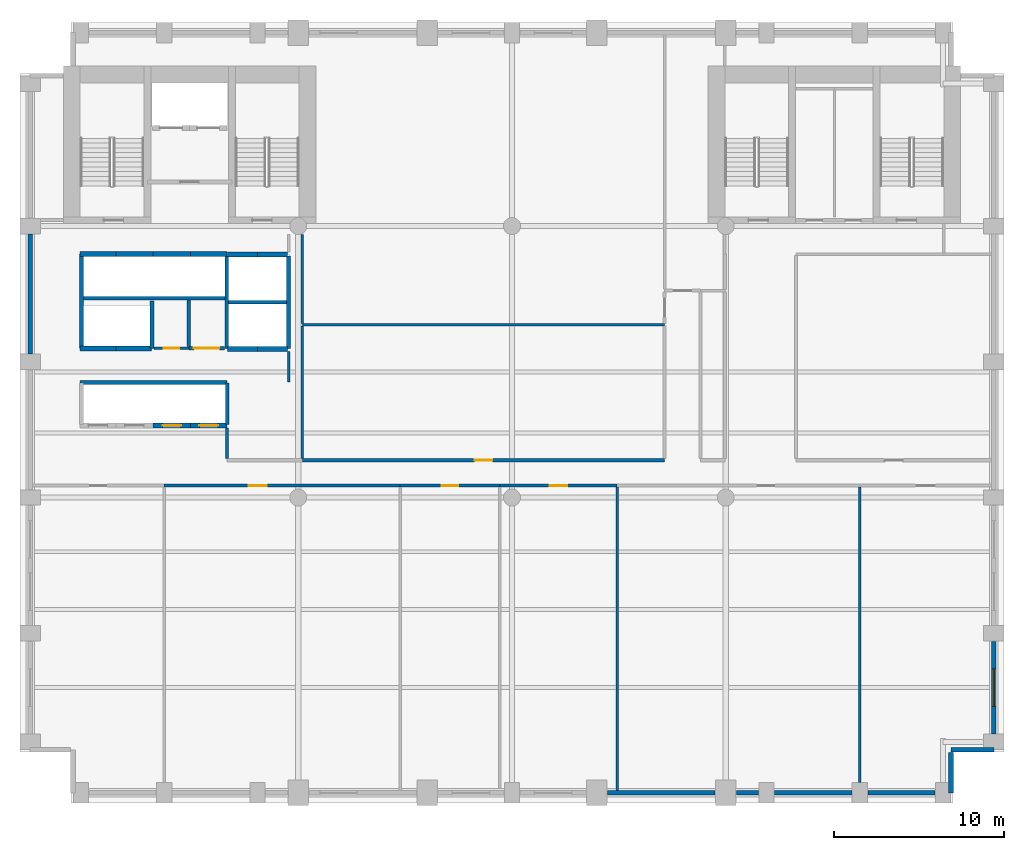
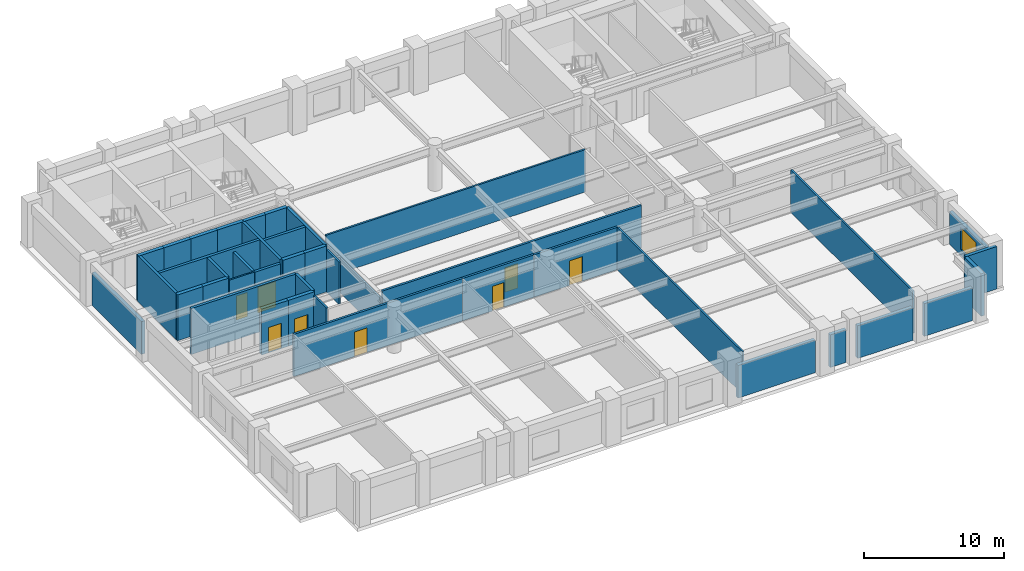
# One storey, part 3 of 8: 42 walls, 8 doors, 1 window, 9 openings.
"""IFC4 building model written with IfcOpenShell, lengths in metres."""

from ifc_helpers import new_model, si_unit, direction, frame, frame_2d, origin, place, context, subcontext, project, spatial, rectangle, extrude, material, layer, layer_set, type_object, element, fill, save


model = new_model("IFC4")

# Units and contexts
model_context = context("Model", 3, precision=1e-05, world=origin(), true_north=direction((0.0, 1.0)))
body_context = subcontext(model_context, "Body", "Model", "MODEL_VIEW")
ifc_project = project(units=[si_unit("LENGTHUNIT", "METRE"), si_unit("AREAUNIT", "SQUARE_METRE"), si_unit("VOLUMEUNIT", "CUBIC_METRE"), si_unit("PLANEANGLEUNIT", "RADIAN"), si_unit("MASSUNIT", "GRAM", prefix="KILO")], contexts=[model_context])

# Site, building, storey
site_placement = place(None, origin())
site = spatial("IfcSite", under=ifc_project, at=site_placement, CompositionType="ELEMENT")
building_placement = place(site_placement, origin())
building = spatial("IfcBuilding", under=site, at=building_placement, Name="Sulina Concourse Tower", CompositionType="ELEMENT")
storey_placement = place(building_placement, frame((0.0, 0.0, 74.60009765625)))
storey = spatial("IfcBuildingStorey", under=building, at=storey_placement, Name="L18", CompositionType="ELEMENT", Elevation=74.60009765625)

# Walls
ifc_material_1 = material(Name="Concrete C50/60", Category="concrete")
ifc_layer_1 = layer(ifc_material_1, 0.219970703125)
ifc_layer_set_1 = layer_set([ifc_layer_1], Name="Concrete C50/60")
wall_type_1 = type_object("IfcWallType", Name="Core Lift Hoistway Divider Wall 220mm", PredefinedType="SOLIDWALL", material=ifc_layer_set_1)
wall_1_placement = place(storey_placement, frame((3.550048828125, 29.75, 0.0), z_axis=(0.0, 0.0, 1.0), x_axis=(1.0, 0.0, 0.0)))
element("IfcWall", 1, at=wall_1_placement, inside=storey, type_object=wall_type_1, Name="L18 shaft divider wall HW-LP3-S", PredefinedType="SOLIDWALL", context=body_context, shape_type="SweptSolid", body=[
    extrude(rectangle(XDim=8.64990234375, YDim=0.219970703125, at=frame_2d((4.324951171875, 0.0))), origin(), (0.0, 0.0, 1.0), 4.0),
])
wall_2_placement = place(storey_placement, frame((3.6298828125, 26.800048828125, 0.0), z_axis=(0.0, 0.0, 1.0), x_axis=(0.0, 1.0, 0.0)))
element("IfcWall", 2, at=wall_2_placement, inside=storey, type_object=wall_type_1, Name="L18 shaft divider wall HW-LP3-W", PredefinedType="SOLIDWALL", context=body_context, shape_type="SweptSolid", body=[
    extrude(rectangle(XDim=5.550048828125, YDim=0.219970703125, at=frame_2d((2.77490234375, 0.0))), origin(), (0.0, 0.0, 1.0), 4.0),
])
wall_3_placement = place(storey_placement, frame((7.780029296875, 26.800048828125, 0.0), z_axis=(0.0, 0.0, 1.0), x_axis=(0.0, 1.0, 0.0)))
element("IfcWall", 3, at=wall_3_placement, inside=storey, type_object=wall_type_1, Name="L18 shaft divider wall HW-EXP-E", PredefinedType="SOLIDWALL", context=body_context, shape_type="SweptSolid", body=[
    extrude(rectangle(XDim=2.800048828125, YDim=0.219970703125, at=frame_2d((1.39990234375, 0.0))), origin(), (0.0, 0.0, 1.0), 4.0),
])
for number, where, z_axis, x_axis, name in (
    (4, (12.179931640625, 26.800048828125, 0.0), (0.0, 0.0, 1.0), (0.0, 1.0, 0.0), "L18 shaft divider wall HW-LP2-W"),
    (5, (15.820068359375, 26.800048828125, 0.0), (0.0, 0.0, 1.0), (0.0, 1.0, 0.0), "L18 shaft divider wall HW-LP2-E"),
):
    element("IfcWall", number, at=place(storey_placement, frame(where, z_axis=z_axis, x_axis=x_axis)), inside=storey, type_object=wall_type_1, Name=name, PredefinedType="SOLIDWALL", context=body_context, shape_type="SweptSolid", body=[
        extrude(rectangle(XDim=5.449951171875, YDim=0.219970703125, at=frame_2d((2.72509765625, 0.0))), origin(), (0.0, 0.0, 1.0), 4.0),
    ])
wall_4_placement = place(storey_placement, frame((12.300048828125, 29.52001953125, 0.0), z_axis=(0.0, 0.0, 1.0), x_axis=(1.0, 0.0, 0.0)))
element("IfcWall", 6, at=wall_4_placement, inside=storey, type_object=wall_type_1, Name="L18 shaft divider wall HW-LP2-M", PredefinedType="SOLIDWALL", context=body_context, shape_type="SweptSolid", body=[
    extrude(rectangle(XDim=3.39990234375, YDim=0.219970703125, at=frame_2d((1.699951171875, 0.0))), origin(), (0.0, 0.0, 1.0), 4.0),
])
wall_5_placement = place(storey_placement, frame((3.550048828125, 24.780029296875, 0.0), z_axis=(0.0, 0.0, 1.0), x_axis=(1.0, 0.0, 0.0)))
element("IfcWall", 7, at=wall_5_placement, inside=storey, type_object=wall_type_1, Name="L18 shaft divider wall HW-LP1-N", PredefinedType="SOLIDWALL", context=body_context, shape_type="SweptSolid", body=[
    extrude(rectangle(XDim=8.64990234375, YDim=0.219970703125, at=frame_2d((4.324951171875, 0.0))), origin(), (0.0, 0.0, 1.0), 4.0),
])
wall_6_placement = place(storey_placement, frame((12.219970703125, 22.300048828125, 0.0), z_axis=(0.0, 0.0, 1.0), x_axis=(0.0, 1.0, 0.0)))
element("IfcWall", 8, at=wall_6_placement, inside=storey, type_object=wall_type_1, Name="L18 shaft divider wall HW-LP1-E", PredefinedType="SOLIDWALL", context=body_context, shape_type="SweptSolid", body=[
    extrude(rectangle(XDim=2.449951171875, YDim=0.219970703125, at=frame_2d((1.22509765625, 0.0))), origin(), (0.0, 0.0, 1.0), 4.0),
])

# Wall, opening, door
ifc_material_2 = material(Name="Concrete C50/60", Category="concrete")
ifc_layer_2 = layer(ifc_material_2, 0.300048828125)
ifc_layer_set_2 = layer_set([ifc_layer_2], Name="Concrete C50/60")
wall_type_2 = type_object("IfcWallType", Name="Core Lift Hoistway Wall 300mm", PredefinedType="SOLIDWALL", material=ifc_layer_set_2)
wall_7_placement = place(storey_placement, frame((10.050048828125, 22.25, 0.0), z_axis=(0.0, 0.0, 1.0), x_axis=(-1.0, 0.0, 0.0)))
wall_7 = element("IfcWall", 9, at=wall_7_placement, inside=storey, type_object=wall_type_2, Name="L18 hoistway enclosure wall LP-03", PredefinedType="SOLIDWALL", context=body_context, shape_type="SweptSolid", body=[
    extrude(rectangle(XDim=2.199951171875, YDim=0.300048828125, at=frame_2d((1.10009765625, 0.0))), origin(), (0.0, 0.0, 1.0), 4.0),
])
opening_1_placement = place(wall_7_placement, frame((0.550048828125, 0.0, 0.0)))
opening_1 = element("IfcOpeningElement", 10, at=opening_1_placement, cuts=wall_7, Name="Opening LD-01", PredefinedType="OPENING", context=body_context, shape_type="SweptSolid", body=[
    extrude(rectangle(XDim=1.10009765625, YDim=2.199951171875, at=frame_2d((0.550048828125, 1.10009765625))), frame((0.0, 0.159912109375, 0.0), z_axis=(0.0, -1.0, 0.0), x_axis=(1.0, 0.0, 0.0)), (0.0, 0.0, 1.0), 0.320068359375),
])
ifc_material_3 = material(Name="Stainless steel lift landing door", Category="steel")
ifc_layer_3 = layer(ifc_material_3, 0.050048828125)
ifc_layer_set_3 = layer_set([ifc_layer_3], Name="Stainless steel lift landing door")
door_type_1 = type_object("IfcDoorType", Name="Passenger Lift Sliding Landing Door 1100x2200", OperationType="SLIDING_TO_LEFT", PredefinedType="DOOR", material=ifc_layer_set_3)
door_1_placement = place(opening_1_placement, origin())
door_1 = element("IfcDoor", 11, at=door_1_placement, inside=storey, type_object=door_type_1, Name="L18 lift landing sliding door LP-03", OperationType="SLIDING_TO_LEFT", OverallHeight=2.199951171875, OverallWidth=1.10009765625, PredefinedType="DOOR", context=body_context, shape_type="SweptSolid", body=[
    extrude(rectangle(XDim=1.10009765625, YDim=2.199951171875, at=frame_2d((0.550048828125, 1.10009765625))), frame((0.0, 0.02490234375, 0.0), z_axis=(0.0, -1.0, 0.0), x_axis=(1.0, 0.0, 0.0)), (0.0, 0.0, 1.0), 0.050048828125),
])
fill(opening_1, door_1)

wall_8_placement = place(storey_placement, frame((12.199951171875, 22.25, 0.0), z_axis=(0.0, 0.0, 1.0), x_axis=(-1.0, 0.0, 0.0)))
wall_8 = element("IfcWall", 12, at=wall_8_placement, inside=storey, type_object=wall_type_2, Name="L18 hoistway enclosure wall LP-04", PredefinedType="SOLIDWALL", context=body_context, shape_type="SweptSolid", body=[
    extrude(rectangle(XDim=2.14990234375, YDim=0.300048828125, at=frame_2d((1.074951171875, 0.0))), origin(), (0.0, 0.0, 1.0), 4.0),
])
opening_2_placement = place(wall_8_placement, frame((0.52490234375, 0.0, 0.0)))
opening_2 = element("IfcOpeningElement", 13, at=opening_2_placement, cuts=wall_8, Name="Opening LD-01", PredefinedType="OPENING", context=body_context, shape_type="SweptSolid", body=[
    extrude(rectangle(XDim=1.10009765625, YDim=2.199951171875, at=frame_2d((0.550048828125, 1.10009765625))), frame((0.0, 0.159912109375, 0.0), z_axis=(0.0, -1.0, 0.0), x_axis=(1.0, 0.0, 0.0)), (0.0, 0.0, 1.0), 0.320068359375),
])
door_2_placement = place(opening_2_placement, origin())
door_2 = element("IfcDoor", 14, at=door_2_placement, inside=storey, type_object=door_type_1, Name="L18 lift landing sliding door LP-04", OperationType="SLIDING_TO_RIGHT", OverallHeight=2.199951171875, OverallWidth=1.10009765625, PredefinedType="DOOR", context=body_context, shape_type="SweptSolid", body=[
    extrude(rectangle(XDim=1.10009765625, YDim=2.199951171875, at=frame_2d((0.550048828125, 1.10009765625))), frame((0.0, 0.02490234375, 0.0), z_axis=(0.0, -1.0, 0.0), x_axis=(1.0, 0.0, 0.0)), (0.0, 0.0, 1.0), 0.050048828125),
])
fill(opening_2, door_2)

# Walls
for number, where, z_axis, x_axis, name in (
    (15, (14.0, 26.75, 0.0), (0.0, 0.0, 1.0), (-1.0, 0.0, 0.0), "L18 hoistway enclosure wall LP-05"),
    (16, (15.780029296875, 26.75, 0.0), (0.0, 0.0, 1.0), (-1.0, 0.0, 0.0), "L18 hoistway enclosure wall LP-06"),
    (17, (12.219970703125, 32.320068359375, 0.0), (0.0, 0.0, 1.0), (1.0, 0.0, 0.0), "L18 hoistway enclosure wall LP-07"),
    (18, (14.0, 32.320068359375, 0.0), (0.0, 0.0, 1.0), (1.0, 0.0, 0.0), "L18 hoistway enclosure wall LP-08"),
):
    element("IfcWall", number, at=place(storey_placement, frame(where, z_axis=z_axis, x_axis=x_axis)), inside=storey, type_object=wall_type_2, Name=name, PredefinedType="SOLIDWALL", context=body_context, shape_type="SweptSolid", body=[
        extrude(rectangle(XDim=1.780029296875, YDim=0.300048828125, at=frame_2d((0.89013671875, 0.0))), origin(), (0.0, 0.0, 1.0), 4.0),
    ])
wall_9_placement = place(storey_placement, frame((3.550048828125, 32.35009765625, 0.0), z_axis=(0.0, 0.0, 1.0), x_axis=(1.0, 0.0, 0.0)))
element("IfcWall", 19, at=wall_9_placement, inside=storey, type_object=wall_type_2, Name="L18 hoistway enclosure wall LP-09", PredefinedType="SOLIDWALL", context=body_context, shape_type="SweptSolid", body=[
    extrude(rectangle(XDim=2.099853515625, YDim=0.300048828125, at=frame_2d((1.0498046875, 0.0))), origin(), (0.0, 0.0, 1.0), 4.0),
])
wall_10_placement = place(storey_placement, frame((5.64990234375, 32.35009765625, 0.0), z_axis=(0.0, 0.0, 1.0), x_axis=(1.0, 0.0, 0.0)))
element("IfcWall", 20, at=wall_10_placement, inside=storey, type_object=wall_type_2, Name="L18 hoistway enclosure wall LP-10", PredefinedType="SOLIDWALL", context=body_context, shape_type="SweptSolid", body=[
    extrude(rectangle(XDim=2.2001953125, YDim=0.300048828125, at=frame_2d((1.10009765625, 0.0))), origin(), (0.0, 0.0, 1.0), 4.0),
])
wall_11_placement = place(storey_placement, frame((7.85009765625, 32.35009765625, 0.0), z_axis=(0.0, 0.0, 1.0), x_axis=(1.0, 0.0, 0.0)))
element("IfcWall", 21, at=wall_11_placement, inside=storey, type_object=wall_type_2, Name="L18 hoistway enclosure wall LP-11", PredefinedType="SOLIDWALL", context=body_context, shape_type="SweptSolid", body=[
    extrude(rectangle(XDim=2.199951171875, YDim=0.300048828125, at=frame_2d((1.10009765625, 0.0))), origin(), (0.0, 0.0, 1.0), 4.0),
])
wall_12_placement = place(storey_placement, frame((10.050048828125, 32.35009765625, 0.0), z_axis=(0.0, 0.0, 1.0), x_axis=(1.0, 0.0, 0.0)))
element("IfcWall", 22, at=wall_12_placement, inside=storey, type_object=wall_type_2, Name="L18 hoistway enclosure wall LP-12", PredefinedType="SOLIDWALL", context=body_context, shape_type="SweptSolid", body=[
    extrude(rectangle(XDim=2.14990234375, YDim=0.300048828125, at=frame_2d((1.074951171875, 0.0))), origin(), (0.0, 0.0, 1.0), 4.0),
])
wall_13_placement = place(storey_placement, frame((5.64990234375, 26.780029296875, 0.0), z_axis=(0.0, 0.0, 1.0), x_axis=(-1.0, 0.0, 0.0)))
element("IfcWall", 23, at=wall_13_placement, inside=storey, type_object=wall_type_2, Name="L18 hoistway enclosure wall EXP-1", PredefinedType="SOLIDWALL", context=body_context, shape_type="SweptSolid", body=[
    extrude(rectangle(XDim=2.099853515625, YDim=0.300048828125, at=frame_2d((1.0498046875, 0.0))), origin(), (0.0, 0.0, 1.0), 4.0),
])
wall_14_placement = place(storey_placement, frame((7.75, 26.780029296875, 0.0), z_axis=(0.0, 0.0, 1.0), x_axis=(-1.0, 0.0, 0.0)))
element("IfcWall", 24, at=wall_14_placement, inside=storey, type_object=wall_type_2, Name="L18 hoistway enclosure wall EXP-2", PredefinedType="SOLIDWALL", context=body_context, shape_type="SweptSolid", body=[
    extrude(rectangle(XDim=2.10009765625, YDim=0.300048828125, at=frame_2d((1.050048828125, 0.0))), origin(), (0.0, 0.0, 1.0), 4.0),
])

# Wall, opening, door
ifc_material_4 = material(Name="Gypsum board on steel stud", Category="steel")
ifc_layer_4 = layer(ifc_material_4, 0.219970703125)
ifc_layer_set_4 = layer_set([ifc_layer_4], Name="Gypsum board on steel stud")
wall_type_3 = type_object("IfcWallType", Name="Fire-Rated Lobby & Compartment Wall 220mm", PredefinedType="PARTITIONING", material=ifc_layer_set_4)
wall_15_placement = place(storey_placement, frame((9.949951171875, 26.800048828125, 0.0), z_axis=(0.0, 0.0, 1.0), x_axis=(1.0, 0.0, 0.0)))
wall_15 = element("IfcWall", 25, at=wall_15_placement, inside=storey, type_object=wall_type_3, Name="L18 interior partition 012", PredefinedType="PARTITIONING", context=body_context, shape_type="SweptSolid", body=[
    extrude(rectangle(XDim=2.10009765625, YDim=0.219970703125, at=frame_2d((1.050048828125, 0.0))), origin(), (0.0, 0.0, 1.0), 3.699951171875),
])
opening_3_placement = place(wall_15_placement, frame((0.300048828125, 0.0, 0.0)))
opening_3 = element("IfcOpeningElement", 26, at=opening_3_placement, cuts=wall_15, Name="Opening DR-80", PredefinedType="OPENING", context=body_context, shape_type="SweptSolid", body=[
    extrude(rectangle(XDim=1.5, YDim=2.25, at=frame_2d((0.75, 1.125))), frame((0.0, 0.119873046875, 0.0), z_axis=(0.0, -1.0, 0.0), x_axis=(1.0, 0.0, 0.0)), (0.0, 0.0, 1.0), 0.239990234375),
])
ifc_material_5 = material(Name="Galvanised steel acoustic fire leaf", Category="steel")
ifc_layer_5 = layer(ifc_material_5, 0.054931640625)
ifc_layer_set_5 = layer_set([ifc_layer_5], Name="Galvanised steel acoustic fire leaf")
door_type_2 = type_object("IfcDoorType", Name="Mechanical Plant Double Fire Door 1500x2250", OperationType="DOUBLE_DOOR_SINGLE_SWING", PredefinedType="DOOR", material=ifc_layer_set_5)
door_3_placement = place(opening_3_placement, origin())
door_3 = element("IfcDoor", 27, at=door_3_placement, inside=storey, type_object=door_type_2, Name="L18 interior door L18-IT-IDF", OperationType="DOUBLE_DOOR_SINGLE_SWING", OverallHeight=2.25, OverallWidth=1.5, PredefinedType="DOOR", context=body_context, shape_type="SweptSolid", body=[
    extrude(rectangle(XDim=1.5, YDim=2.25, at=frame_2d((0.75, 1.125))), frame((0.0, 0.02490234375, 0.0), z_axis=(0.0, -1.0, 0.0), x_axis=(1.0, 0.0, 0.0)), (0.0, 0.0, 1.0), 0.050048828125),
])
fill(opening_3, door_3)

# Walls
wall_16_placement = place(storey_placement, frame((9.949951171875, 26.909912109375, 0.0), z_axis=(0.0, 0.0, 1.0), x_axis=(0.0, 1.0, 0.0)))
element("IfcWall", 28, at=wall_16_placement, inside=storey, type_object=wall_type_3, Name="L18 interior partition 022", PredefinedType="PARTITIONING", context=body_context, shape_type="SweptSolid", body=[
    extrude(rectangle(XDim=2.72998046875, YDim=0.219970703125, at=frame_2d((1.364990234375, 0.0))), origin(), (0.0, 0.0, 1.0), 3.699951171875),
])
ifc_material_6 = material(Name="Gypsum board on steel stud", Category="steel")
ifc_layer_6 = layer(ifc_material_6, 0.14990234375)
ifc_layer_set_6 = layer_set([ifc_layer_6], Name="Gypsum board on steel stud")
wall_type_4 = type_object("IfcWallType", Name="Inter-Tenancy Acoustic Partition 150mm", PredefinedType="PARTITIONING", material=ifc_layer_set_6)
wall_17_placement = place(storey_placement, frame((16.64990234375, 28.199951171875, 0.0), z_axis=(0.0, 0.0, 1.0), x_axis=(1.0, 0.0, 0.0)))
element("IfcWall", 29, at=wall_17_placement, inside=storey, type_object=wall_type_4, Name="L18 interior partition 013", PredefinedType="PARTITIONING", context=body_context, shape_type="SweptSolid", body=[
    extrude(rectangle(XDim=21.35009765625, YDim=0.14990234375, at=frame_2d((10.675048828125, 0.0))), origin(), (0.0, 0.0, 1.0), 3.699951171875),
])
wall_18_placement = place(storey_placement, frame((12.199951171875, 20.2900390625, 0.0), z_axis=(0.0, 0.0, 1.0), x_axis=(0.0, 1.0, 0.0)))
element("IfcWall", 30, at=wall_18_placement, inside=storey, type_object=wall_type_4, Name="L18 interior partition 023", PredefinedType="PARTITIONING", context=body_context, shape_type="SweptSolid", body=[
    extrude(rectangle(XDim=1.81005859375, YDim=0.14990234375, at=frame_2d((0.905029296875, 0.0))), origin(), (0.0, 0.0, 1.0), 3.699951171875),
])
wall_19_placement = place(storey_placement, frame((15.85009765625, 24.800048828125, 0.0), z_axis=(0.0, 0.0, 1.0), x_axis=(0.0, 1.0, 0.0)))
element("IfcWall", 31, at=wall_19_placement, inside=storey, type_object=wall_type_4, Name="L18 interior partition 024", PredefinedType="PARTITIONING", context=body_context, shape_type="SweptSolid", body=[
    extrude(rectangle(XDim=1.800048828125, YDim=0.14990234375, at=frame_2d((0.89990234375, 0.0))), origin(), (0.0, 0.0, 1.0), 3.699951171875),
])
wall_20_placement = place(storey_placement, frame((16.64990234375, 20.2900390625, 0.0), z_axis=(0.0, 0.0, 1.0), x_axis=(0.0, 1.0, 0.0)))
element("IfcWall", 32, at=wall_20_placement, inside=storey, type_object=wall_type_4, Name="L18 interior partition 026", PredefinedType="PARTITIONING", context=body_context, shape_type="SweptSolid", body=[
    extrude(rectangle(XDim=7.8349609375, YDim=0.14990234375, at=frame_2d((3.91748046875, 0.0))), origin(), (0.0, 0.0, 1.0), 2.994873046875),
])
wall_21_placement = place(storey_placement, frame((16.64990234375, 28.27490234375, 0.0), z_axis=(0.0, 0.0, 1.0), x_axis=(0.0, 1.0, 0.0)))
element("IfcWall", 33, at=wall_21_placement, inside=storey, type_object=wall_type_4, Name="L18 interior partition 027", PredefinedType="PARTITIONING", context=body_context, shape_type="SweptSolid", body=[
    extrude(rectangle(XDim=5.22509765625, YDim=0.14990234375, at=frame_2d((2.612548828125, 0.0))), origin(), (0.0, 0.0, 1.0), 2.994873046875),
])
wall_22_placement = place(storey_placement, frame((35.199951171875, 0.739990234375, 0.0), z_axis=(0.0, 0.0, 1.0), x_axis=(0.0, 1.0, 0.0)))
element("IfcWall", 34, at=wall_22_placement, inside=storey, type_object=wall_type_4, Name="L18 interior partition 030", PredefinedType="PARTITIONING", context=body_context, shape_type="SweptSolid", body=[
    extrude(rectangle(XDim=17.8701171875, YDim=0.14990234375, at=frame_2d((8.93505859375, 0.0))), origin(), (0.0, 0.0, 1.0), 3.699951171875),
])
wall_23_placement = place(storey_placement, frame((49.5, 1.199951171875, 0.0), z_axis=(0.0, 0.0, 1.0), x_axis=(0.0, 1.0, 0.0)))
element("IfcWall", 35, at=wall_23_placement, inside=storey, type_object=wall_type_4, Name="L18 interior partition 041", PredefinedType="PARTITIONING", context=body_context, shape_type="SweptSolid", body=[
    extrude(rectangle(XDim=17.41015625, YDim=0.14990234375, at=frame_2d((8.705078125, 0.0))), origin(), (0.0, 0.0, 1.0), 3.699951171875),
])

# Wall, opening, door
ifc_material_7 = material(Name="Gypsum board on steel stud", Category="steel")
ifc_layer_7 = layer(ifc_material_7, 0.179931640625)
ifc_layer_set_7 = layer_set([ifc_layer_7], Name="Gypsum board on steel stud")
wall_type_5 = type_object("IfcWallType", Name="Protected Corridor & Riser Partition 180mm", PredefinedType="PARTITIONING", material=ifc_layer_set_7)
wall_24_placement = place(storey_placement, frame((8.5, 18.699951171875, 0.0), z_axis=(0.0, 0.0, 1.0), x_axis=(1.0, 0.0, 0.0)))
wall_24 = element("IfcWall", 36, at=wall_24_placement, inside=storey, type_object=wall_type_5, Name="L18 interior partition 002", PredefinedType="PARTITIONING", context=body_context, shape_type="SweptSolid", body=[
    extrude(rectangle(XDim=13.89990234375, YDim=0.179931640625, at=frame_2d((6.949951171875, 0.0))), origin(), (0.0, 0.0, 1.0), 3.699951171875),
])
opening_4_placement = place(wall_24_placement, frame((4.985107421875, 0.0, 0.0)))
opening_4 = element("IfcOpeningElement", 37, at=opening_4_placement, cuts=wall_24, Name="Opening DR-37", PredefinedType="OPENING", context=body_context, shape_type="SweptSolid", body=[
    extrude(rectangle(XDim=1.050048828125, YDim=2.14990234375, at=frame_2d((0.52490234375, 1.074951171875))), frame((0.0, 0.099853515625, 0.0), z_axis=(0.0, -1.0, 0.0), x_axis=(1.0, 0.0, 0.0)), (0.0, 0.0, 1.0), 0.199951171875),
])
ifc_material_8 = material(Name="Oak-veneered fire door leaf")
ifc_layer_8 = layer(ifc_material_8, 0.050048828125)
ifc_layer_set_8 = layer_set([ifc_layer_8], Name="Oak-veneered fire door leaf")
door_type_3 = type_object("IfcDoorType", Name="Tenant Suite Entrance Fire Door 1050x2150", OperationType="NOTDEFINED", PredefinedType="DOOR", material=ifc_layer_set_8)
door_4_placement = place(opening_4_placement, origin())
door_4 = element("IfcDoor", 38, at=door_4_placement, inside=storey, type_object=door_type_3, Name="L18 interior door L18-S02", OperationType="SINGLE_SWING_LEFT", OverallHeight=2.14990234375, OverallWidth=1.050048828125, PredefinedType="DOOR", context=body_context, shape_type="SweptSolid", body=[
    extrude(rectangle(XDim=1.050048828125, YDim=2.14990234375, at=frame_2d((0.52490234375, 1.074951171875))), frame((0.0, 0.02490234375, 0.0), z_axis=(0.0, -1.0, 0.0), x_axis=(1.0, 0.0, 0.0)), (0.0, 0.0, 1.0), 0.050048828125),
])
fill(opening_4, door_4)

wall_25_placement = place(storey_placement, frame((22.39990234375, 18.699951171875, 0.0), z_axis=(0.0, 0.0, 1.0), x_axis=(1.0, 0.0, 0.0)))
wall_25 = element("IfcWall", 39, at=wall_25_placement, inside=storey, type_object=wall_type_5, Name="L18 interior partition 003", PredefinedType="PARTITIONING", context=body_context, shape_type="SweptSolid", body=[
    extrude(rectangle(XDim=5.89013671875, YDim=0.179931640625, at=frame_2d((2.945068359375, 0.0))), origin(), (0.0, 0.0, 1.0), 3.699951171875),
])
opening_5_placement = place(wall_25_placement, frame((2.469970703125, 0.0, 0.0)))
opening_5 = element("IfcOpeningElement", 40, at=opening_5_placement, cuts=wall_25, Name="Opening DR-19", PredefinedType="OPENING", context=body_context, shape_type="SweptSolid", body=[
    extrude(rectangle(XDim=0.949951171875, YDim=2.14990234375, at=frame_2d((0.47509765625, 1.074951171875))), frame((0.0, 0.099853515625, 0.0), z_axis=(0.0, -1.0, 0.0), x_axis=(1.0, 0.0, 0.0)), (0.0, 0.0, 1.0), 0.199951171875),
])
ifc_material_9 = material(Name="Oak-veneered acoustic timber leaf", Category="wood")
ifc_layer_9 = layer(ifc_material_9, 0.050048828125)
ifc_layer_set_9 = layer_set([ifc_layer_9], Name="Oak-veneered acoustic timber leaf")
door_type_4 = type_object("IfcDoorType", Name="Cellular Office & Meeting Door 950x2150", OperationType="NOTDEFINED", PredefinedType="DOOR", material=ifc_layer_set_9)
door_5_placement = place(opening_5_placement, origin())
door_5 = element("IfcDoor", 41, at=door_5_placement, inside=storey, type_object=door_type_4, Name="L18 interior door L18-S03A", OperationType="SINGLE_SWING_RIGHT", OverallHeight=2.14990234375, OverallWidth=0.949951171875, PredefinedType="DOOR", context=body_context, shape_type="SweptSolid", body=[
    extrude(rectangle(XDim=0.949951171875, YDim=2.14990234375, at=frame_2d((0.47509765625, 1.074951171875))), frame((0.0, 0.02490234375, 0.0), z_axis=(0.0, -1.0, 0.0), x_axis=(1.0, 0.0, 0.0)), (0.0, 0.0, 1.0), 0.050048828125),
])
fill(opening_5, door_5)

wall_26_placement = place(storey_placement, frame((28.2900390625, 18.699951171875, 0.0), z_axis=(0.0, 0.0, 1.0), x_axis=(1.0, 0.0, 0.0)))
wall_26 = element("IfcWall", 42, at=wall_26_placement, inside=storey, type_object=wall_type_5, Name="L18 interior partition 004", PredefinedType="PARTITIONING", context=body_context, shape_type="SweptSolid", body=[
    extrude(rectangle(XDim=6.909912109375, YDim=0.179931640625, at=frame_2d((3.455078125, 0.0))), origin(), (0.0, 0.0, 1.0), 3.699951171875),
])
opening_6_placement = place(wall_26_placement, frame((2.929931640625, 0.0, 0.0)))
opening_6 = element("IfcOpeningElement", 43, at=opening_6_placement, cuts=wall_26, Name="Opening DR-37", PredefinedType="OPENING", context=body_context, shape_type="SweptSolid", body=[
    extrude(rectangle(XDim=1.050048828125, YDim=2.14990234375, at=frame_2d((0.52490234375, 1.074951171875))), frame((0.0, 0.099853515625, 0.0), z_axis=(0.0, -1.0, 0.0), x_axis=(1.0, 0.0, 0.0)), (0.0, 0.0, 1.0), 0.199951171875),
])
door_6_placement = place(opening_6_placement, origin())
door_6 = element("IfcDoor", 44, at=door_6_placement, inside=storey, type_object=door_type_3, Name="L18 interior door L18-S03B", OperationType="SINGLE_SWING_LEFT", OverallHeight=2.14990234375, OverallWidth=1.050048828125, PredefinedType="DOOR", context=body_context, shape_type="SweptSolid", body=[
    extrude(rectangle(XDim=1.050048828125, YDim=2.14990234375, at=frame_2d((0.52490234375, 1.074951171875))), frame((0.0, 0.02490234375, 0.0), z_axis=(0.0, -1.0, 0.0), x_axis=(1.0, 0.0, 0.0)), (0.0, 0.0, 1.0), 0.050048828125),
])
fill(opening_6, door_6)

wall_27_placement = place(storey_placement, frame((16.64990234375, 20.199951171875, 0.0), z_axis=(0.0, 0.0, 1.0), x_axis=(1.0, 0.0, 0.0)))
wall_27 = element("IfcWall", 45, at=wall_27_placement, inside=storey, type_object=wall_type_5, Name="L18 interior partition 008", PredefinedType="PARTITIONING", context=body_context, shape_type="SweptSolid", body=[
    extrude(rectangle(XDim=21.35009765625, YDim=0.179931640625, at=frame_2d((10.675048828125, 0.0))), origin(), (0.0, 0.0, 1.0), 3.699951171875),
])
opening_7_placement = place(wall_27_placement, frame((10.14990234375, 0.0, 0.0)))
opening_7 = element("IfcOpeningElement", 46, at=opening_7_placement, cuts=wall_27, Name="Opening DR-37", PredefinedType="OPENING", context=body_context, shape_type="SweptSolid", body=[
    extrude(rectangle(XDim=1.050048828125, YDim=2.14990234375, at=frame_2d((0.52490234375, 1.074951171875))), frame((0.0, 0.099853515625, 0.0), z_axis=(0.0, -1.0, 0.0), x_axis=(1.0, 0.0, 0.0)), (0.0, 0.0, 1.0), 0.199951171875),
])
door_7_placement = place(opening_7_placement, origin())
door_7 = element("IfcDoor", 47, at=door_7_placement, inside=storey, type_object=door_type_3, Name="L18 interior door L18-NC1", OperationType="SINGLE_SWING_RIGHT", OverallHeight=2.14990234375, OverallWidth=1.050048828125, PredefinedType="DOOR", context=body_context, shape_type="SweptSolid", body=[
    extrude(rectangle(XDim=1.050048828125, YDim=2.14990234375, at=frame_2d((0.52490234375, 1.074951171875))), frame((0.0, 0.02490234375, 0.0), z_axis=(0.0, -1.0, 0.0), x_axis=(1.0, 0.0, 0.0)), (0.0, 0.0, 1.0), 0.050048828125),
])
fill(opening_7, door_7)

# Walls
ifc_material_10 = material(Name="Precast concrete C50/60", Category="concrete")
ifc_layer_10 = layer(ifc_material_10, 0.280029296875)
ifc_layer_set_10 = layer_set([ifc_layer_10], Name="Precast concrete C50/60")
wall_type_6 = type_object("IfcWallType", Name="Typical Precast Masonry-Frame Facade Wall 280mm", PredefinedType="SOLIDWALL", material=ifc_layer_set_10)
wall_28_placement = place(storey_placement, frame((40.97998046875, 0.60009765625, 0.0), z_axis=(0.0, 0.0, 1.0), x_axis=(-1.0, 0.0, 0.0)))
element("IfcWall", 48, at=wall_28_placement, inside=storey, type_object=wall_type_6, Name="L18 exterior precast wall S7", PredefinedType="SOLIDWALL", context=body_context, shape_type="SweptSolid", body=[
    extrude(rectangle(XDim=6.35986328125, YDim=0.280029296875, at=frame_2d((3.179931640625, 0.0))), origin(), (0.0, 0.0, 1.0), 2.849853515625),
])
wall_29_placement = place(storey_placement, frame((43.530029296875, 0.60009765625, 0.0), z_axis=(0.0, 0.0, 1.0), x_axis=(-1.0, 0.0, 0.0)))
element("IfcWall", 49, at=wall_29_placement, inside=storey, type_object=wall_type_6, Name="L18 exterior precast wall S8", PredefinedType="SOLIDWALL", context=body_context, shape_type="SweptSolid", body=[
    extrude(rectangle(XDim=1.31005859375, YDim=0.280029296875, at=frame_2d((0.655029296875, 0.0))), origin(), (0.0, 0.0, 1.0), 2.849853515625),
])
wall_30_placement = place(storey_placement, frame((49.030029296875, 0.60009765625, 0.0), z_axis=(0.0, 0.0, 1.0), x_axis=(-1.0, 0.0, 0.0)))
element("IfcWall", 50, at=wall_30_placement, inside=storey, type_object=wall_type_6, Name="L18 exterior precast wall S9", PredefinedType="SOLIDWALL", context=body_context, shape_type="SweptSolid", body=[
    extrude(rectangle(XDim=4.56005859375, YDim=0.280029296875, at=frame_2d((2.280029296875, 0.0))), origin(), (0.0, 0.0, 1.0), 2.849853515625),
])
wall_31_placement = place(storey_placement, frame((53.929931640625, 0.60009765625, 0.0), z_axis=(0.0, 0.0, 1.0), x_axis=(-1.0, 0.0, 0.0)))
element("IfcWall", 51, at=wall_31_placement, inside=storey, type_object=wall_type_6, Name="L18 exterior precast wall S10", PredefinedType="SOLIDWALL", context=body_context, shape_type="SweptSolid", body=[
    extrude(rectangle(XDim=3.9599609375, YDim=0.280029296875, at=frame_2d((1.97998046875, 0.0))), origin(), (0.0, 0.0, 1.0), 2.849853515625),
])
wall_32_placement = place(storey_placement, frame((0.60009765625, 26.469970703125, 0.0), z_axis=(0.0, 0.0, 1.0), x_axis=(0.0, 1.0, 0.0)))
element("IfcWall", 52, at=wall_32_placement, inside=storey, type_object=wall_type_6, Name="L18 exterior precast wall W4", PredefinedType="SOLIDWALL", context=body_context, shape_type="SweptSolid", body=[
    extrude(rectangle(XDim=7.06005859375, YDim=0.280029296875, at=frame_2d((3.530029296875, 0.0))), origin(), (0.0, 0.0, 1.0), 2.849853515625),
])

# Wall, opening, window
wall_33_placement = place(storey_placement, frame((57.39990234375, 9.530029296875, 0.0), z_axis=(0.0, 0.0, 1.0), x_axis=(0.0, -1.0, 0.0)))
wall_33 = element("IfcWall", 53, at=wall_33_placement, inside=storey, type_object=wall_type_6, Name="L18 exterior precast wall E1", PredefinedType="SOLIDWALL", context=body_context, shape_type="SweptSolid", body=[
    extrude(rectangle(XDim=5.4599609375, YDim=0.280029296875, at=frame_2d((2.72998046875, 0.0))), origin(), (0.0, 0.0, 1.0), 2.849853515625),
])
opening_8_placement = place(wall_33_placement, frame((1.6298828125, 0.0, 0.5)))
opening_8 = element("IfcOpeningElement", 54, at=opening_8_placement, cuts=wall_33, Name="Opening WN-76", PredefinedType="OPENING", context=body_context, shape_type="SweptSolid", body=[
    extrude(rectangle(XDim=2.199951171875, YDim=1.949951171875, at=frame_2d((1.10009765625, 0.97509765625))), frame((0.0, 0.14990234375, 0.0), z_axis=(0.0, -1.0, 0.0), x_axis=(1.0, 0.0, 0.0)), (0.0, 0.0, 1.0), 0.300048828125),
])
ifc_material_11 = material(Name="Low-E solar double glazing in bronze aluminium", Category="aluminium")
window_type = type_object("IfcWindowType", Name="Recessed Spandrel Window 2200x1950", PartitioningType="DOUBLE_PANEL_VERTICAL", PredefinedType="WINDOW", material=ifc_material_11)
window_placement = place(opening_8_placement, origin())
window = element("IfcWindow", 55, at=window_placement, inside=storey, type_object=window_type, Name="L18 punched window E1-1", OverallHeight=1.949951171875, OverallWidth=2.199951171875, PartitioningType="SINGLE_PANEL", PredefinedType="WINDOW", context=body_context, shape_type="SweptSolid", body=[
    extrude(rectangle(XDim=2.199951171875, YDim=1.949951171875, at=frame_2d((1.10009765625, 0.97509765625))), frame((0.0, 0.030029296875, 0.0), z_axis=(0.0, -1.0, 0.0), x_axis=(1.0, 0.0, 0.0)), (0.0, 0.0, 1.0), 0.06005859375),
])
fill(opening_8, window)

# Walls
wall_34_placement = place(storey_placement, frame((57.39990234375, 3.1298828125, 0.0), z_axis=(0.0, 0.0, 1.0), x_axis=(-1.0, 0.0, 0.0)))
element("IfcWall", 56, at=wall_34_placement, inside=storey, type_object=wall_type_6, Name="L18 exterior precast wall CSE1", PredefinedType="SOLIDWALL", context=body_context, shape_type="SweptSolid", body=[
    extrude(rectangle(XDim=2.52978515625, YDim=0.280029296875, at=frame_2d((1.264892578125, 0.0))), origin(), (0.0, 0.0, 1.0), 3.699951171875),
])
wall_35_placement = place(storey_placement, frame((54.8701171875, 2.985107421875, 0.0), z_axis=(0.0, 0.0, 1.0), x_axis=(0.0, -1.0, 0.0)))
element("IfcWall", 57, at=wall_35_placement, inside=storey, type_object=wall_type_6, Name="L18 exterior precast wall CSE2", PredefinedType="SOLIDWALL", context=body_context, shape_type="SweptSolid", body=[
    extrude(rectangle(XDim=2.385009765625, YDim=0.280029296875, at=frame_2d((1.1923828125, 0.0))), origin(), (0.0, 0.0, 1.0), 3.699951171875),
])

# Wall, opening, door
ifc_material_12 = material(Name="Gypsum board on steel stud", Category="steel")
ifc_layer_11 = layer(ifc_material_12, 0.125)
ifc_layer_set_11 = layer_set([ifc_layer_11], Name="Gypsum board on steel stud")
wall_type_7 = type_object("IfcWallType", Name="Wet-Area Moisture-Resistant Partition 125mm", PredefinedType="PARTITIONING", material=ifc_layer_set_11)
wall_36_placement = place(storey_placement, frame((7.889892578125, 26.800048828125, 0.0), z_axis=(0.0, 0.0, 1.0), x_axis=(1.0, 0.0, 0.0)))
wall_36 = element("IfcWall", 58, at=wall_36_placement, inside=storey, type_object=wall_type_7, Name="L18 interior partition 011", PredefinedType="PARTITIONING", context=body_context, shape_type="SweptSolid", body=[
    extrude(rectangle(XDim=2.06005859375, YDim=0.125, at=frame_2d((1.030029296875, 0.0))), origin(), (0.0, 0.0, 1.0), 3.699951171875),
])
opening_9_placement = place(wall_36_placement, frame((0.570068359375, 0.0, 0.0)))
opening_9 = element("IfcOpeningElement", 59, at=opening_9_placement, cuts=wall_36, Name="Opening DR-61", PredefinedType="OPENING", context=body_context, shape_type="SweptSolid", body=[
    extrude(rectangle(XDim=0.919921875, YDim=2.10009765625, at=frame_2d((0.4599609375, 1.050048828125))), frame((0.0, 0.072509765625, 0.0), z_axis=(0.0, -1.0, 0.0), x_axis=(1.0, 0.0, 0.0)), (0.0, 0.0, 1.0), 0.14501953125),
])
ifc_material_13 = material(Name="Oak-veneered fire door leaf")
ifc_layer_12 = layer(ifc_material_13, 0.050048828125)
ifc_layer_set_12 = layer_set([ifc_layer_12], Name="Oak-veneered fire door leaf")
door_type_5 = type_object("IfcDoorType", Name="Accessible WC Door 920x2100", OperationType="NOTDEFINED", PredefinedType="DOOR", material=ifc_layer_set_12)
door_8_placement = place(opening_9_placement, origin())
door_8 = element("IfcDoor", 60, at=door_8_placement, inside=storey, type_object=door_type_5, Name="L18 interior door L18-WC-ACC", OperationType="SINGLE_SWING_RIGHT", OverallHeight=2.10009765625, OverallWidth=0.919921875, PredefinedType="DOOR", context=body_context, shape_type="SweptSolid", body=[
    extrude(rectangle(XDim=0.919921875, YDim=2.10009765625, at=frame_2d((0.4599609375, 1.050048828125))), frame((0.0, 0.02490234375, 0.0), z_axis=(0.0, -1.0, 0.0), x_axis=(1.0, 0.0, 0.0)), (0.0, 0.0, 1.0), 0.050048828125),
])
fill(opening_9, door_8)

save(model, "model.ifc")
